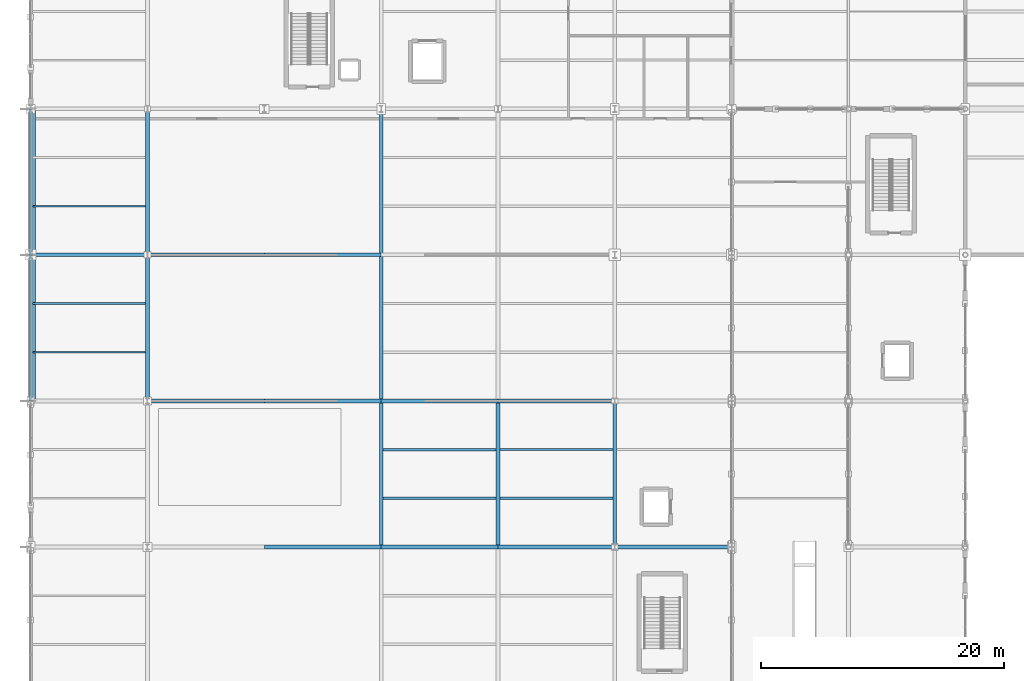
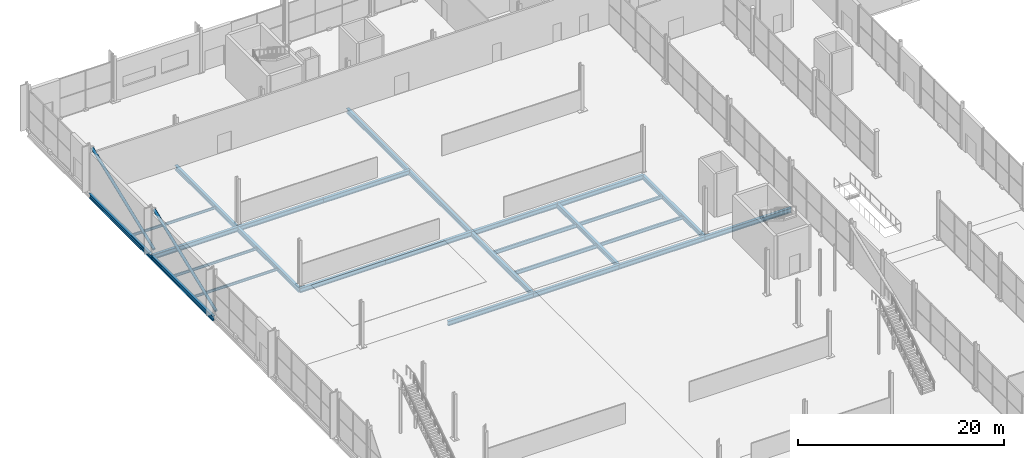
# One storey, part 92 of 196: 27 beams, 2 members.
"""IFC4 building model written with IfcOpenShell, lengths in metres."""

from ifc_helpers import new_model, si_unit, direction, frame, origin, origin_2d, place, context, subcontext, project, spatial, hollow_circle, i_section, extrude, material, material_profile, profile_set, type_object, element, save


model = new_model("IFC4")

# Units and contexts
model_context = context("Model", 3, precision=1e-05, world=origin(), true_north=direction((0.0, 1.0)))
body_context = subcontext(model_context, "Body", "Model", "MODEL_VIEW")
ifc_project = project(units=[si_unit("LENGTHUNIT", "METRE"), si_unit("AREAUNIT", "SQUARE_METRE"), si_unit("VOLUMEUNIT", "CUBIC_METRE"), si_unit("PLANEANGLEUNIT", "RADIAN"), si_unit("MASSUNIT", "GRAM", prefix="KILO")], contexts=[model_context])

# Site, building, storey
site_placement = place(None, origin())
site = spatial("IfcSite", under=ifc_project, at=site_placement, CompositionType="ELEMENT")
building_placement = place(site_placement, origin())
building = spatial("IfcBuilding", under=site, at=building_placement, Name="Merenkruunu Market Hall", CompositionType="ELEMENT")
storey_placement = place(building_placement, origin())
storey = spatial("IfcBuildingStorey", under=building, at=storey_placement, Name="L00", CompositionType="ELEMENT", Elevation=0.0)

# Members
ifc_material_1 = material(Name="Steel S355ML", Category="steel")
ifc_material_profile_1 = material_profile(ifc_material_1, hollow_circle(Radius=0.161865234375, WallThickness=0.01611328125, at=origin_2d()), Name="CHS 323.9x16")
ifc_profile_set_1 = profile_set([ifc_material_profile_1], Name="Steel S355ML")
member_type = type_object("IfcMemberType", Name="Diagonal Sway Brace BR01", PredefinedType="BRACE", material=ifc_profile_set_1)
for number, where, z_axis, x_axis, name in (
    (1, (0.239990234375, 87.60009765625, 0.199951171875), (0.0, 0.931129537334, 0.364688613347), (-1.0, 0.0, 0.0), "MEM-CBF01"),
    (2, (0.239990234375, 75.60009765625, 0.199951171875), (0.0, 0.931129537334, 0.364688613347), (-1.0, 0.0, 0.0), "MEM-CBF02"),
):
    element("IfcMember", number, at=place(storey_placement, frame(where, z_axis=z_axis, x_axis=x_axis)), inside=storey, type_object=member_type, Name=name, PredefinedType="BRACE", context=body_context, shape_type="SweptSolid", body=[
        extrude(hollow_circle(Radius=0.161865234375, WallThickness=0.01611328125, at=origin_2d()), origin(), (0.0, 0.0, 1.0), 12.887451171875),
    ])

# Beams
ifc_material_2 = material(Name="Steel S355J2", Category="steel")
ifc_material_profile_2 = material_profile(ifc_material_2, i_section(OverallWidth=0.300048828125, OverallDepth=0.550048828125, WebThickness=0.014892578125, FlangeThickness=0.029052734375, FilletRadius=0.027099609375, at=origin_2d()), Name="HEB 550")
ifc_profile_set_2 = profile_set([ifc_material_profile_2], Name="Steel S355J2")
beam_type_1 = type_object("IfcBeamType", Name="Primary Floor Girder B02", PredefinedType="BEAM", material=ifc_profile_set_2)
beam_1_placement = place(storey_placement, frame((19.199951171875, 63.60009765625, -0.614990234375), z_axis=(1.0, 0.0, 0.0), x_axis=(0.0, 1.0, 0.0)))
element("IfcBeam", 3, at=beam_1_placement, inside=storey, type_object=beam_type_1, Name="BM-L00-B02-0089", PredefinedType="BEAM", context=body_context, shape_type="SweptSolid", body=[
    extrude(i_section(OverallWidth=0.300048828125, OverallDepth=0.550048828125, WebThickness=0.014892578125, FlangeThickness=0.029052734375, FilletRadius=0.027099609375, at=origin_2d()), origin(), (0.0, 0.0, 1.0), 9.60009765625),
])
beam_2_placement = place(storey_placement, frame((28.800048828125, 63.60009765625, -0.614990234375), z_axis=(1.0, 0.0, 0.0), x_axis=(0.0, 1.0, 0.0)))
element("IfcBeam", 4, at=beam_2_placement, inside=storey, type_object=beam_type_1, Name="BM-L00-B02-0090", PredefinedType="BEAM", context=body_context, shape_type="SweptSolid", body=[
    extrude(i_section(OverallWidth=0.300048828125, OverallDepth=0.550048828125, WebThickness=0.014892578125, FlangeThickness=0.029052734375, FilletRadius=0.027099609375, at=origin_2d()), origin(), (0.0, 0.0, 1.0), 9.599853515625),
])
for number, where, z_axis, x_axis, name in (
    (5, (38.39990234375, 63.60009765625, -0.614990234375), (1.0, 0.0, 0.0), (0.0, 1.0, 0.0), "BM-L00-B02-0091"),
    (6, (48.0, 63.60009765625, -0.614990234375), (1.0, 0.0, 0.0), (0.0, 1.0, 0.0), "BM-L00-B02-0092"),
):
    element("IfcBeam", number, at=place(storey_placement, frame(where, z_axis=z_axis, x_axis=x_axis)), inside=storey, type_object=beam_type_1, Name=name, PredefinedType="BEAM", context=body_context, shape_type="SweptSolid", body=[
        extrude(i_section(OverallWidth=0.300048828125, OverallDepth=0.550048828125, WebThickness=0.014892578125, FlangeThickness=0.029052734375, FilletRadius=0.027099609375, at=origin_2d()), origin(), (0.0, 0.0, 1.0), 9.60009765625),
    ])
beam_3_placement = place(storey_placement, frame((9.60009765625, 75.60009765625, -0.614990234375), z_axis=(1.0, 0.0, 0.0), x_axis=(0.0, 1.0, 0.0)))
element("IfcBeam", 7, at=beam_3_placement, inside=storey, type_object=beam_type_1, Name="BM-L00-B02-0099", PredefinedType="BEAM", context=body_context, shape_type="SweptSolid", body=[
    extrude(i_section(OverallWidth=0.300048828125, OverallDepth=0.550048828125, WebThickness=0.014892578125, FlangeThickness=0.029052734375, FilletRadius=0.027099609375, at=origin_2d()), origin(), (0.0, 0.0, 1.0), 9.599853515625),
])
beam_4_placement = place(storey_placement, frame((19.199951171875, 75.60009765625, -0.614990234375), z_axis=(1.0, 0.0, 0.0), x_axis=(0.0, 1.0, 0.0)))
element("IfcBeam", 8, at=beam_4_placement, inside=storey, type_object=beam_type_1, Name="BM-L00-B02-0100", PredefinedType="BEAM", context=body_context, shape_type="SweptSolid", body=[
    extrude(i_section(OverallWidth=0.300048828125, OverallDepth=0.550048828125, WebThickness=0.014892578125, FlangeThickness=0.029052734375, FilletRadius=0.027099609375, at=origin_2d()), origin(), (0.0, 0.0, 1.0), 9.60009765625),
])
beam_5_placement = place(storey_placement, frame((28.800048828125, 75.60009765625, -0.614990234375), z_axis=(1.0, 0.0, 0.0), x_axis=(0.0, 1.0, 0.0)))
element("IfcBeam", 9, at=beam_5_placement, inside=storey, type_object=beam_type_1, Name="BM-L00-B02-0101", PredefinedType="BEAM", context=body_context, shape_type="SweptSolid", body=[
    extrude(i_section(OverallWidth=0.300048828125, OverallDepth=0.550048828125, WebThickness=0.014892578125, FlangeThickness=0.029052734375, FilletRadius=0.027099609375, at=origin_2d()), origin(), (0.0, 0.0, 1.0), 9.599853515625),
])
for number, where, z_axis, x_axis, name in (
    (10, (38.39990234375, 75.60009765625, -0.614990234375), (1.0, 0.0, 0.0), (0.0, 1.0, 0.0), "BM-L00-B02-0102"),
    (11, (0.0, 87.60009765625, -0.614990234375), (1.0, 0.0, 0.0), (0.0, 1.0, 0.0), "BM-L00-B02-0106"),
):
    element("IfcBeam", number, at=place(storey_placement, frame(where, z_axis=z_axis, x_axis=x_axis)), inside=storey, type_object=beam_type_1, Name=name, PredefinedType="BEAM", context=body_context, shape_type="SweptSolid", body=[
        extrude(i_section(OverallWidth=0.300048828125, OverallDepth=0.550048828125, WebThickness=0.014892578125, FlangeThickness=0.029052734375, FilletRadius=0.027099609375, at=origin_2d()), origin(), (0.0, 0.0, 1.0), 9.60009765625),
    ])
beam_6_placement = place(storey_placement, frame((9.60009765625, 87.60009765625, -0.614990234375), z_axis=(1.0, 0.0, 0.0), x_axis=(0.0, 1.0, 0.0)))
element("IfcBeam", 12, at=beam_6_placement, inside=storey, type_object=beam_type_1, Name="BM-L00-B02-0107", PredefinedType="BEAM", context=body_context, shape_type="SweptSolid", body=[
    extrude(i_section(OverallWidth=0.300048828125, OverallDepth=0.550048828125, WebThickness=0.014892578125, FlangeThickness=0.029052734375, FilletRadius=0.027099609375, at=origin_2d()), origin(), (0.0, 0.0, 1.0), 9.599853515625),
])
beam_7_placement = place(storey_placement, frame((19.199951171875, 87.60009765625, -0.614990234375), z_axis=(1.0, 0.0, 0.0), x_axis=(0.0, 1.0, 0.0)))
element("IfcBeam", 13, at=beam_7_placement, inside=storey, type_object=beam_type_1, Name="BM-L00-B02-0108", PredefinedType="BEAM", context=body_context, shape_type="SweptSolid", body=[
    extrude(i_section(OverallWidth=0.300048828125, OverallDepth=0.550048828125, WebThickness=0.014892578125, FlangeThickness=0.029052734375, FilletRadius=0.027099609375, at=origin_2d()), origin(), (0.0, 0.0, 1.0), 9.60009765625),
])
ifc_material_profile_3 = material_profile(ifc_material_2, i_section(OverallWidth=0.300048828125, OverallDepth=0.5400390625, WebThickness=0.012451171875, FlangeThickness=0.02392578125, FilletRadius=0.027099609375, at=origin_2d()), Name="HEA 550")
ifc_profile_set_3 = profile_set([ifc_material_profile_3], Name="Steel S355J2")
beam_type_2 = type_object("IfcBeamType", Name="Primary Floor Girder B06", PredefinedType="BEAM", material=ifc_profile_set_3)
for number, where, z_axis, x_axis, name in (
    (14, (0.0, 75.60009765625, -0.610107421875), (0.0, 1.0, 0.0), (-1.0, 0.0, 0.0), "BM-L00-B06-0142"),
    (15, (0.0, 87.60009765625, -0.610107421875), (0.0, 1.0, 0.0), (-1.0, 0.0, 0.0), "BM-L00-B06-0143"),
    (16, (9.60009765625, 75.60009765625, -0.610107421875), (0.0, 1.0, 0.0), (-1.0, 0.0, 0.0), "BM-L00-B06-0151"),
    (17, (9.60009765625, 87.60009765625, -0.610107421875), (0.0, 1.0, 0.0), (-1.0, 0.0, 0.0), "BM-L00-B06-0152"),
    (18, (28.800048828125, 63.60009765625, -0.610107421875), (0.0, 1.0, 0.0), (-1.0, 0.0, 0.0), "BM-L00-B06-0163"),
    (19, (28.800048828125, 75.60009765625, -0.610107421875), (0.0, 1.0, 0.0), (-1.0, 0.0, 0.0), "BM-L00-B06-0164"),
    (20, (28.800048828125, 87.60009765625, -0.610107421875), (0.0, 1.0, 0.0), (-1.0, 0.0, 0.0), "BM-L00-B06-0165"),
    (21, (38.39990234375, 63.60009765625, -0.610107421875), (0.0, 1.0, 0.0), (-1.0, 0.0, 0.0), "BM-L00-B06-0172"),
    (22, (48.0, 63.60009765625, -0.610107421875), (0.0, 1.0, 0.0), (-1.0, 0.0, 0.0), "BM-L00-B06-0181"),
):
    element("IfcBeam", number, at=place(storey_placement, frame(where, z_axis=z_axis, x_axis=x_axis)), inside=storey, type_object=beam_type_2, Name=name, PredefinedType="BEAM", context=body_context, shape_type="SweptSolid", body=[
        extrude(i_section(OverallWidth=0.300048828125, OverallDepth=0.5400390625, WebThickness=0.012451171875, FlangeThickness=0.02392578125, FilletRadius=0.027099609375, at=origin_2d()), origin(), (0.0, 0.0, 1.0), 12.0),
    ])
ifc_material_profile_4 = material_profile(ifc_material_2, i_section(OverallWidth=0.18994140625, OverallDepth=0.449951171875, WebThickness=0.009521484375, FlangeThickness=0.0146484375, FilletRadius=0.02099609375, at=origin_2d()), Name="IPE 450")
ifc_profile_set_4 = profile_set([ifc_material_profile_4], Name="Steel S355J2")
beam_type_3 = type_object("IfcBeamType", Name="Secondary Floor Joist J01", PredefinedType="JOIST", material=ifc_profile_set_4)
for number, where, z_axis, x_axis, name in (
    (23, (28.952880859375, 67.60009765625, -0.56494140625), (1.0, 0.0, 0.0), (0.0, 1.0, 0.0), "BM-L00-J01-0310"),
    (24, (28.952880859375, 71.60009765625, -0.56494140625), (1.0, 0.0, 0.0), (0.0, 1.0, 0.0), "BM-L00-J01-0311"),
):
    element("IfcBeam", number, at=place(storey_placement, frame(where, z_axis=z_axis, x_axis=x_axis)), inside=storey, type_object=beam_type_3, Name=name, PredefinedType="JOIST", context=body_context, shape_type="SweptSolid", body=[
        extrude(i_section(OverallWidth=0.18994140625, OverallDepth=0.449951171875, WebThickness=0.009521484375, FlangeThickness=0.0146484375, FilletRadius=0.02099609375, at=origin_2d()), origin(), (0.0, 0.0, 1.0), 9.294189453125),
    ])
ifc_material_profile_5 = material_profile(ifc_material_2, i_section(OverallWidth=0.179931640625, OverallDepth=0.39990234375, WebThickness=0.008544921875, FlangeThickness=0.013427734375, FilletRadius=0.02099609375, at=origin_2d()), Name="IPE 400")
ifc_profile_set_5 = profile_set([ifc_material_profile_5], Name="Steel S355J2")
beam_type_4 = type_object("IfcBeamType", Name="Secondary Floor Joist J02", PredefinedType="JOIST", material=ifc_profile_set_5)
for number, where, z_axis, x_axis, name in (
    (25, (38.552978515625, 67.60009765625, -0.5400390625), (1.0, 0.0, 0.0), (0.0, 1.0, 0.0), "BM-L00-J02-0325"),
    (26, (38.552978515625, 71.60009765625, -0.5400390625), (1.0, 0.0, 0.0), (0.0, 1.0, 0.0), "BM-L00-J02-0326"),
):
    element("IfcBeam", number, at=place(storey_placement, frame(where, z_axis=z_axis, x_axis=x_axis)), inside=storey, type_object=beam_type_4, Name=name, PredefinedType="JOIST", context=body_context, shape_type="SweptSolid", body=[
        extrude(i_section(OverallWidth=0.179931640625, OverallDepth=0.39990234375, WebThickness=0.008544921875, FlangeThickness=0.013427734375, FilletRadius=0.02099609375, at=origin_2d()), origin(), (0.0, 0.0, 1.0), 9.2939453125),
    ])
ifc_material_profile_6 = material_profile(ifc_material_2, i_section(OverallWidth=0.14990234375, OverallDepth=0.300048828125, WebThickness=0.007080078125, FlangeThickness=0.0107421875, FilletRadius=0.014892578125, at=origin_2d()), Name="IPE 300")
ifc_profile_set_6 = profile_set([ifc_material_profile_6], Name="Steel S355J2")
beam_type_5 = type_object("IfcBeamType", Name="Secondary Floor Joist J04", PredefinedType="JOIST", material=ifc_profile_set_6)
for number, where, z_axis, x_axis, name in (
    (27, (0.153076171875, 79.60009765625, -0.489990234375), (1.0, 0.0, 0.0), (0.0, 1.0, 0.0), "BM-L00-J04-0284"),
    (28, (0.153076171875, 83.60009765625, -0.489990234375), (1.0, 0.0, 0.0), (0.0, 1.0, 0.0), "BM-L00-J04-0285"),
    (29, (0.153076171875, 91.60009765625, -0.489990234375), (1.0, 0.0, 0.0), (0.0, 1.0, 0.0), "BM-L00-J04-0286"),
):
    element("IfcBeam", number, at=place(storey_placement, frame(where, z_axis=z_axis, x_axis=x_axis)), inside=storey, type_object=beam_type_5, Name=name, PredefinedType="JOIST", context=body_context, shape_type="SweptSolid", body=[
        extrude(i_section(OverallWidth=0.14990234375, OverallDepth=0.300048828125, WebThickness=0.007080078125, FlangeThickness=0.0107421875, FilletRadius=0.014892578125, at=origin_2d()), origin(), (0.0, 0.0, 1.0), 9.2939453125),
    ])

save(model, "model.ifc")
